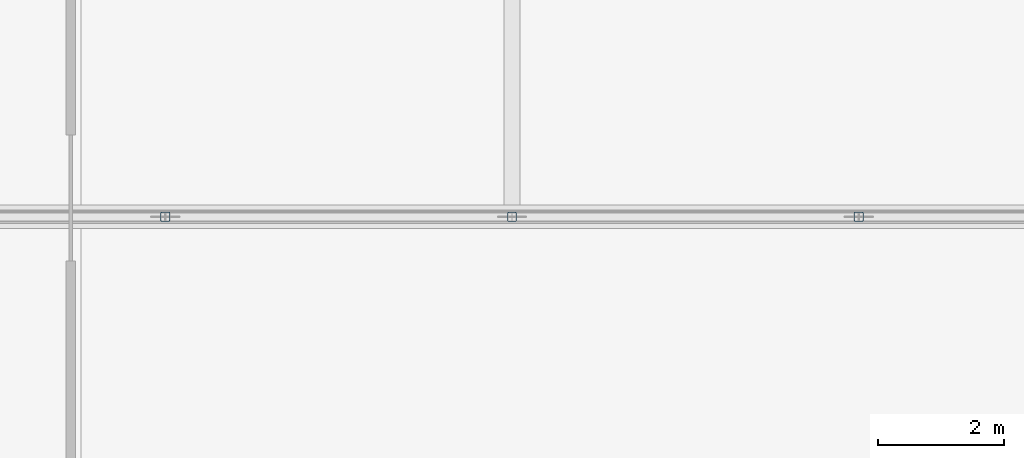
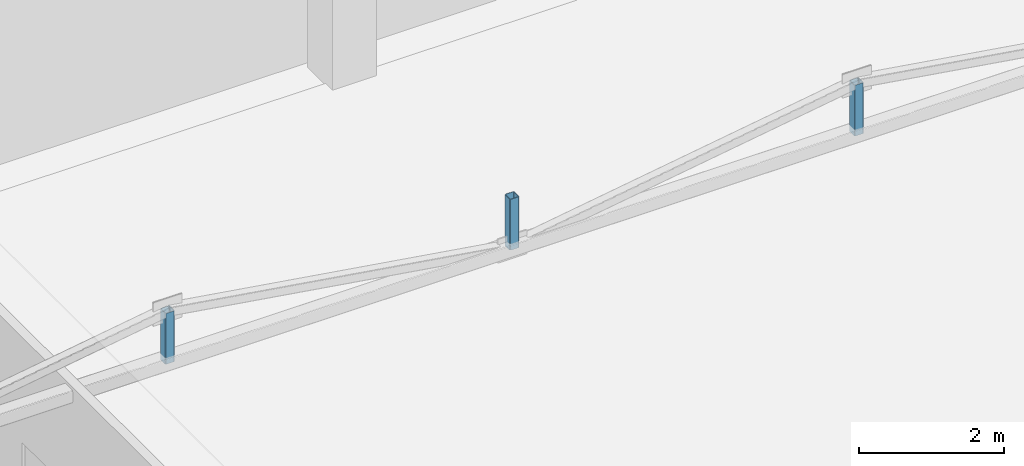
# One storey, part 39 of 72: 3 members.
"""IFC4 building model written with IfcOpenShell, lengths in metres."""

from ifc_helpers import new_model, si_unit, direction, frame, origin, origin_2d, place, context, subcontext, project, spatial, hollow_rectangle, extrude, material, material_profile, profile_set, type_object, element, save


model = new_model("IFC4")

# Units and contexts
model_context = context("Model", 3, precision=1e-05, world=origin(), true_north=direction((0.0, 1.0)))
body_context = subcontext(model_context, "Body", "Model", "MODEL_VIEW")
ifc_project = project(units=[si_unit("LENGTHUNIT", "METRE"), si_unit("AREAUNIT", "SQUARE_METRE"), si_unit("VOLUMEUNIT", "CUBIC_METRE"), si_unit("PLANEANGLEUNIT", "RADIAN"), si_unit("MASSUNIT", "GRAM", prefix="KILO")], contexts=[model_context])

# Site, building, storey
site_placement = place(None, origin())
site = spatial("IfcSite", under=ifc_project, at=site_placement, CompositionType="ELEMENT")
building_placement = place(site_placement, origin())
building = spatial("IfcBuilding", under=site, at=building_placement, Name="Sillaruma Civic Art Gallery", CompositionType="ELEMENT")
storey_placement = place(building_placement, frame((0.0, 0.0, 10.8798828125)))
storey = spatial("IfcBuildingStorey", under=building, at=storey_placement, Name="L02", CompositionType="ELEMENT", Elevation=10.8798828125)

# Members
ifc_material = material(Name="Structural Steel ASTM A500 Gr.C", Category="steel")
ifc_material_profile = material_profile(ifc_material, hollow_rectangle(XDim=0.14990234375, YDim=0.14990234375, WallThickness=0.010009765625, InnerFilletRadius=0.010009765625, OuterFilletRadius=0.02001953125, at=origin_2d()), Name="HSS150x150x10")
ifc_profile_set = profile_set([ifc_material_profile], Name="Structural Steel ASTM A500 Gr.C")
member_type = type_object("IfcMemberType", Name="MEM-POST-HSS150x150x10", PredefinedType="POST", material=ifc_profile_set)
for number, where, z_axis, x_axis, name in (
    (1, (75.5, 59.39990234375, 4.1201171875), (0.0, 0.0, 1.0), (1.0, 0.0, 0.0), "Warren Truss Vertical Post TR-L02-1-V1"),
    (2, (81.0, 59.39990234375, 4.1201171875), (0.0, 0.0, 1.0), (1.0, 0.0, 0.0), "Warren Truss Vertical Post TR-L02-1-V2"),
    (3, (86.5, 59.39990234375, 4.1201171875), (0.0, 0.0, 1.0), (1.0, 0.0, 0.0), "Warren Truss Vertical Post TR-L02-1-V3"),
):
    element("IfcMember", number, at=place(storey_placement, frame(where, z_axis=z_axis, x_axis=x_axis)), inside=storey, type_object=member_type, Name=name, PredefinedType="POST", context=body_context, shape_type="SweptSolid", body=[
        extrude(hollow_rectangle(XDim=0.14990234375, YDim=0.14990234375, WallThickness=0.010009765625, InnerFilletRadius=0.010009765625, OuterFilletRadius=0.02001953125, at=origin_2d()), origin(), (0.0, 0.0, 1.0), 0.85791015625),
    ])

save(model, "model.ifc")
